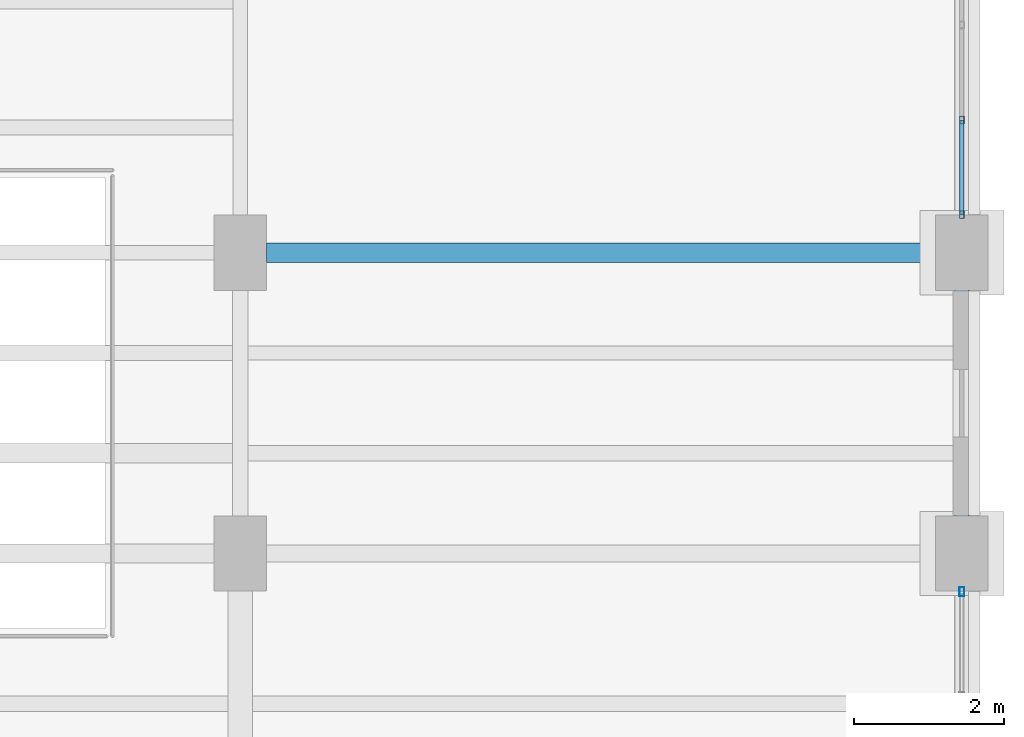
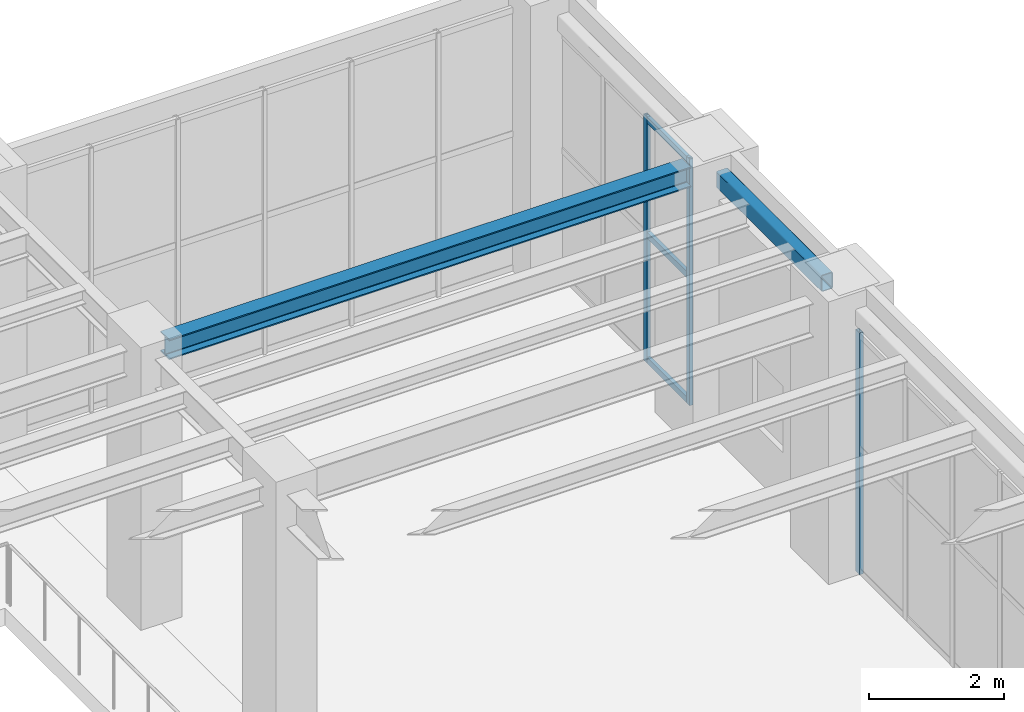
# One storey, part 111 of 174: 6 members, 2 beams, 2 elements without a shape of their own.
"""IFC4 building model written with IfcOpenShell, lengths in metres."""

from ifc_helpers import new_model, si_unit, direction, frame, origin, origin_2d, place, context, subcontext, project, spatial, hollow_rectangle, i_section, extrude, material, material_profile, profile_set, type_object, element, aggregate, save


model = new_model("IFC4")

# Units and contexts
model_context = context("Model", 3, precision=1e-05, world=origin(), true_north=direction((0.0, 1.0)))
body_context = subcontext(model_context, "Body", "Model", "MODEL_VIEW")
ifc_project = project(units=[si_unit("LENGTHUNIT", "METRE"), si_unit("AREAUNIT", "SQUARE_METRE"), si_unit("VOLUMEUNIT", "CUBIC_METRE"), si_unit("PLANEANGLEUNIT", "RADIAN"), si_unit("MASSUNIT", "GRAM", prefix="KILO")], contexts=[model_context])

# Site, building, storey
site_placement = place(None, origin())
site = spatial("IfcSite", under=ifc_project, at=site_placement, CompositionType="ELEMENT")
building_placement = place(site_placement, origin())
building = spatial("IfcBuilding", under=site, at=building_placement, Name="Mavantir Sound Aquarium", CompositionType="ELEMENT")
storey_placement = place(building_placement, frame((0.0, 0.0, 5.39990234375)))
storey = spatial("IfcBuildingStorey", under=building, at=storey_placement, Name="L01", CompositionType="ELEMENT", Elevation=5.39990234375)

# Beams
ifc_material_1 = material(Name="Hollow Structural Steel ASTM A500 GrC", Category="steel")
ifc_material_profile_1 = material_profile(ifc_material_1, hollow_rectangle(XDim=0.199951171875, YDim=0.300048828125, WallThickness=0.012451171875, InnerFilletRadius=0.012451171875, OuterFilletRadius=0.02490234375, at=origin_2d()), Name="RHS 300X200X12.5")
ifc_profile_set_1 = profile_set([ifc_material_profile_1], Name="Hollow Structural Steel ASTM A500 GrC")
beam_type_1 = type_object("IfcBeamType", Name="BM-RHS300-E", PredefinedType="SPANDREL", material=ifc_profile_set_1)
beam_1_placement = place(storey_placement, frame((175.199951171875, 57.25, 4.656005859375), z_axis=(0.0, 1.0, 0.0), x_axis=(-1.0, 0.0, 0.0)))
element("IfcBeam", 1, at=beam_1_placement, inside=storey, type_object=beam_type_1, Name="L01 primary girder SS-R30 1355", PredefinedType="SPANDREL", context=body_context, shape_type="SweptSolid", body=[
    extrude(hollow_rectangle(XDim=0.199951171875, YDim=0.300048828125, WallThickness=0.012451171875, InnerFilletRadius=0.012451171875, OuterFilletRadius=0.02490234375, at=origin_2d()), origin(), (0.0, 0.0, 1.0), 3.10009765625),
])
ifc_material_2 = material(Name="Structural Steel ASTM A992 Gr50", Category="steel")
ifc_material_profile_2 = material_profile(ifc_material_2, i_section(OverallWidth=0.257080078125, OverallDepth=0.363037109375, WebThickness=0.012939453125, FlangeThickness=0.021728515625, FilletRadius=0.014892578125, at=origin_2d()), Name="W360X122")
ifc_profile_set_2 = profile_set([ifc_material_profile_2], Name="Structural Steel ASTM A992 Gr50")
beam_type_2 = type_object("IfcBeamType", Name="BM-W360X122-I", PredefinedType="BEAM", material=ifc_profile_set_2)
beam_2_placement = place(storey_placement, frame((165.949951171875, 60.800048828125, 4.594482421875), z_axis=(1.0, 0.0, 0.0), x_axis=(0.0, 1.0, 0.0)))
element("IfcBeam", 2, at=beam_2_placement, inside=storey, type_object=beam_type_2, Name="L01 primary beam SB-36A 1268", PredefinedType="BEAM", context=body_context, shape_type="SweptSolid", body=[
    extrude(i_section(OverallWidth=0.257080078125, OverallDepth=0.363037109375, WebThickness=0.012939453125, FlangeThickness=0.021728515625, FilletRadius=0.014892578125, at=origin_2d()), origin(), (0.0, 0.0, 1.0), 8.900146484375),
])

# Curtain wall, members
ifc_material_3 = material(Name="Anodised Marine Aluminium and Low-E Glass", Category="aluminium")
curtain_wall_type_1 = type_object("IfcCurtainWallType", Name="CW-T11", PredefinedType="USERDEFINED", material=ifc_material_3)
curtain_wall_1_placement = place(storey_placement, origin())
curtain_wall_1 = element("IfcCurtainWall", 3, at=curtain_wall_1_placement, inside=storey, type_object=curtain_wall_type_1, Name="L01 unitised curtain wall CW-11 107", ObjectType="UNITISED GLAZING", PredefinedType="USERDEFINED")
ifc_material_4 = material(Name="Anodised Marine Aluminium 6063-T6", Category="aluminium")
ifc_material_profile_3 = material_profile(ifc_material_4, hollow_rectangle(XDim=0.06005859375, YDim=0.10009765625, WallThickness=0.00390625, at=origin_2d()), Name="ALU-MULLION-100X60")
ifc_profile_set_3 = profile_set([ifc_material_profile_3], Name="Anodised Marine Aluminium 6063-T6")
member_type_1 = type_object("IfcMemberType", Name="CW-MUL-100", PredefinedType="MULLION", material=ifc_profile_set_3)
member_1_placement = place(storey_placement, frame((175.199951171875, 61.30810546875, 0.0), z_axis=(0.0, 0.0, 1.0), x_axis=(1.0, 0.0, 0.0)))
member_1 = element("IfcMember", 4, at=member_1_placement, type_object=member_type_1, Name="CW-L01-107 vertical mullion 1", PredefinedType="MULLION", context=body_context, shape_type="SweptSolid", body=[
    extrude(hollow_rectangle(XDim=0.06005859375, YDim=0.10009765625, WallThickness=0.00390625, at=origin_2d()), origin(), (0.0, 0.0, 1.0), 4.446044921875),
])
member_2_placement = place(storey_placement, frame((175.199951171875, 62.5693359375, 0.0), z_axis=(0.0, 0.0, 1.0), x_axis=(1.0, 0.0, 0.0)))
member_2 = element("IfcMember", 5, at=member_2_placement, type_object=member_type_1, Name="CW-L01-107 vertical mullion 2", PredefinedType="MULLION", context=body_context, shape_type="SweptSolid", body=[
    extrude(hollow_rectangle(XDim=0.06005859375, YDim=0.10009765625, WallThickness=0.00390625, at=origin_2d()), origin(), (0.0, 0.0, 1.0), 4.446044921875),
])

# Curtain wall, member
curtain_wall_type_2 = type_object("IfcCurtainWallType", Name="CW-T10", PredefinedType="USERDEFINED", material=ifc_material_3)
curtain_wall_2_placement = place(storey_placement, origin())
curtain_wall_2 = element("IfcCurtainWall", 6, at=curtain_wall_2_placement, inside=storey, type_object=curtain_wall_type_2, Name="L01 unitised curtain wall CW-10 106", ObjectType="UNITISED GLAZING", PredefinedType="USERDEFINED")
ifc_material_profile_4 = material_profile(ifc_material_4, hollow_rectangle(XDim=0.06494140625, YDim=0.1201171875, WallThickness=0.00390625, at=origin_2d()), Name="ALU-MULLION-120X65")
ifc_profile_set_4 = profile_set([ifc_material_profile_4], Name="Anodised Marine Aluminium 6063-T6")
member_type_2 = type_object("IfcMemberType", Name="CW-MUL-120", PredefinedType="MULLION", material=ifc_profile_set_4)
member_3_placement = place(storey_placement, frame((175.199951171875, 56.2919921875, 0.0), z_axis=(0.0, 0.0, 1.0), x_axis=(1.0, 0.0, 0.0)))
member_3 = element("IfcMember", 7, at=member_3_placement, type_object=member_type_2, Name="CW-L01-106 vertical mullion 6", PredefinedType="MULLION", context=body_context, shape_type="SweptSolid", body=[
    extrude(hollow_rectangle(XDim=0.06494140625, YDim=0.1201171875, WallThickness=0.00390625, at=origin_2d()), origin(), (0.0, 0.0, 1.0), 4.359130859375),
])
aggregate(curtain_wall_2, [member_3])

# Member
ifc_material_profile_5 = material_profile(ifc_material_4, hollow_rectangle(XDim=0.06005859375, YDim=0.110107421875, WallThickness=0.00390625, at=origin_2d()), Name="ALU-TRANSOM-110X60")
ifc_profile_set_5 = profile_set([ifc_material_profile_5], Name="Anodised Marine Aluminium 6063-T6")
member_type_3 = type_object("IfcMemberType", Name="CW-TRN-110", PredefinedType="USERDEFINED", material=ifc_profile_set_5)
member_4_placement = place(storey_placement, frame((175.199951171875, 61.30810546875, 0.05517578125), z_axis=(0.0, 1.0, 0.0), x_axis=(-1.0, 0.0, 0.0)))
member_4 = element("IfcMember", 8, at=member_4_placement, type_object=member_type_3, Name="CW-L01-107 transom 1.1", ObjectType="TRANSOM", PredefinedType="USERDEFINED", context=body_context, shape_type="SweptSolid", body=[
    extrude(hollow_rectangle(XDim=0.06005859375, YDim=0.110107421875, WallThickness=0.00390625, at=origin_2d()), origin(), (0.0, 0.0, 1.0), 1.26123046875),
])

member_5_placement = place(storey_placement, frame((175.199951171875, 61.30810546875, 2.31201171875), z_axis=(0.0, 1.0, 0.0), x_axis=(-1.0, 0.0, 0.0)))
member_5 = element("IfcMember", 9, at=member_5_placement, type_object=member_type_3, Name="CW-L01-107 transom 1.2", ObjectType="TRANSOM", PredefinedType="USERDEFINED", context=body_context, shape_type="SweptSolid", body=[
    extrude(hollow_rectangle(XDim=0.06005859375, YDim=0.110107421875, WallThickness=0.00390625, at=origin_2d()), origin(), (0.0, 0.0, 1.0), 1.26123046875),
])

member_6_placement = place(storey_placement, frame((175.199951171875, 61.30810546875, 4.39111328125), z_axis=(0.0, 1.0, 0.0), x_axis=(-1.0, 0.0, 0.0)))
member_6 = element("IfcMember", 10, at=member_6_placement, type_object=member_type_3, Name="CW-L01-107 transom 1.3", ObjectType="TRANSOM", PredefinedType="USERDEFINED", context=body_context, shape_type="SweptSolid", body=[
    extrude(hollow_rectangle(XDim=0.06005859375, YDim=0.110107421875, WallThickness=0.00390625, at=origin_2d()), origin(), (0.0, 0.0, 1.0), 1.26123046875),
])

aggregate(curtain_wall_1, [member_1, member_2, member_4, member_5, member_6])

save(model, "model.ifc")
